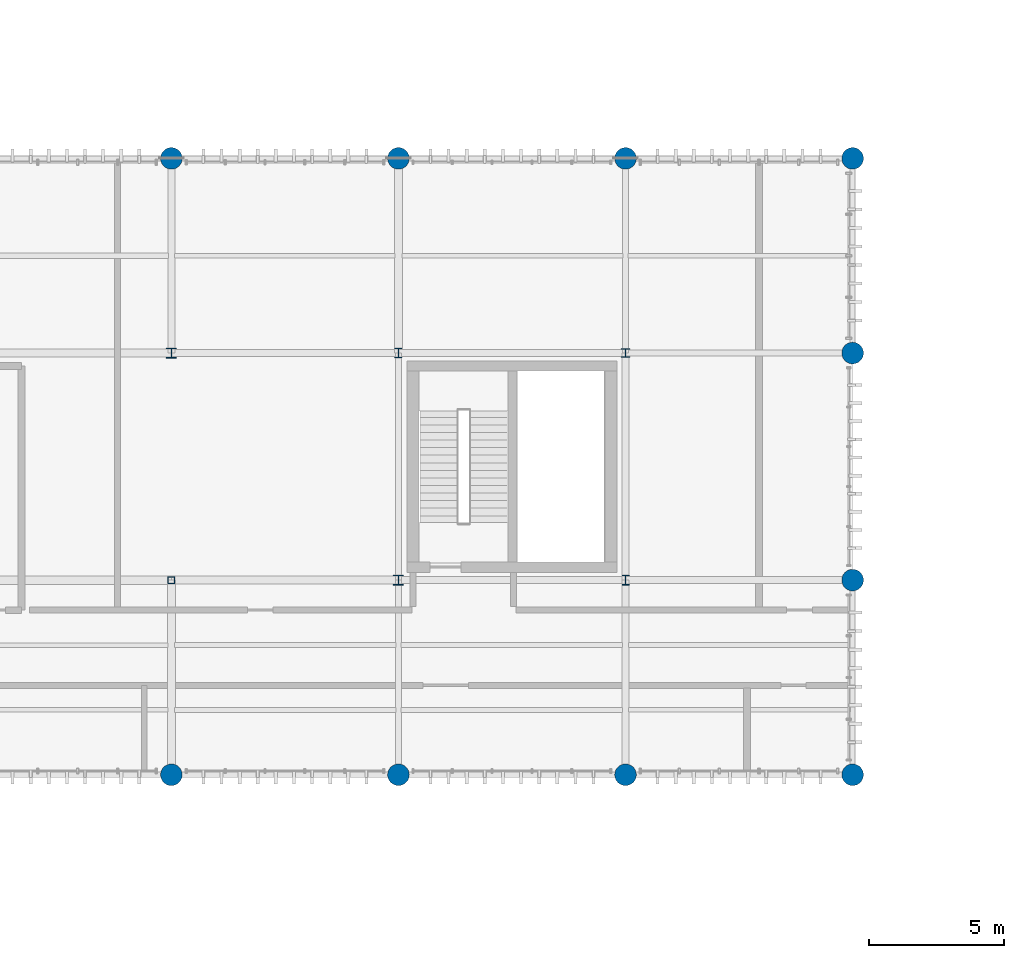
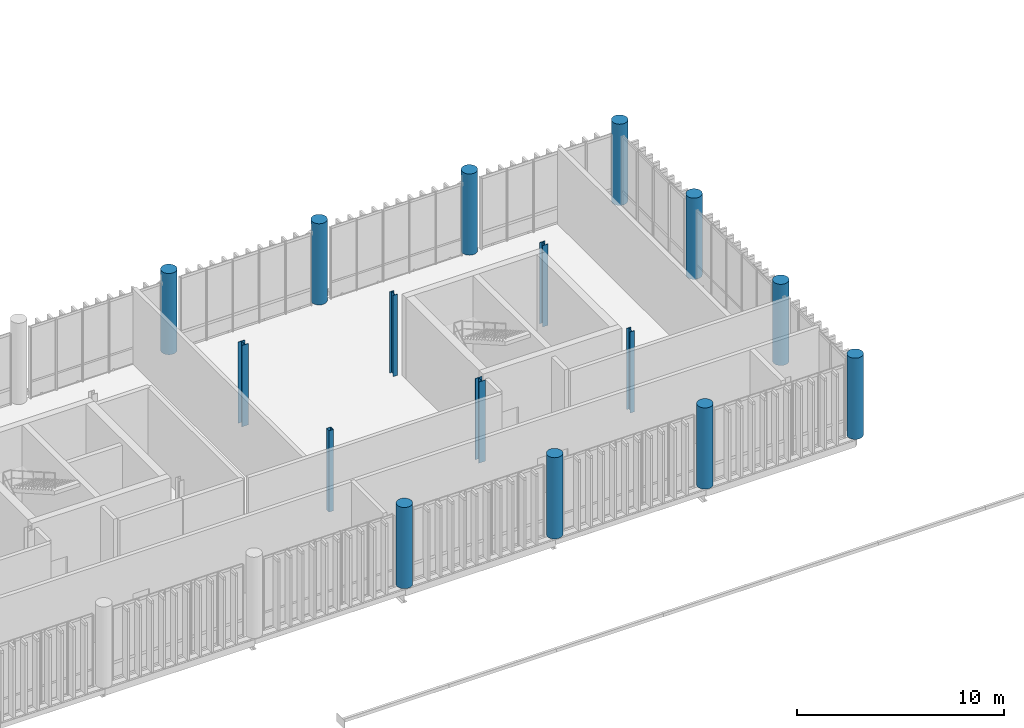
# One storey, part 5 of 94: 16 columns.
"""IFC4 building model written with IfcOpenShell, lengths in metres."""

from ifc_helpers import new_model, si_unit, direction, frame, origin_with_axes, origin_2d_with_axis, place, context, subcontext, project, spatial, hollow_rectangle, circle, i_section, extrude, material, material_profile, profile_set, type_object, element, save


model = new_model("IFC4")

# Units and contexts
model_context = context("Model", 3, precision=1e-05, world=origin_with_axes(), true_north=direction((0.0, 1.0)))
body_context = subcontext(model_context, "Body", "Model", "MODEL_VIEW")
ifc_project = project(units=[si_unit("LENGTHUNIT", "METRE"), si_unit("AREAUNIT", "SQUARE_METRE"), si_unit("VOLUMEUNIT", "CUBIC_METRE"), si_unit("PLANEANGLEUNIT", "RADIAN"), si_unit("MASSUNIT", "GRAM", prefix="KILO"), si_unit("THERMODYNAMICTEMPERATUREUNIT", "KELVIN")], contexts=[model_context])

# Site, building, storey
site_placement = place(None, origin_with_axes())
site = spatial("IfcSite", under=ifc_project, at=site_placement, CompositionType="ELEMENT")
building_placement = place(site_placement, origin_with_axes())
building = spatial("IfcBuilding", under=site, at=building_placement, Name="Montbau Bow Law Courts", CompositionType="ELEMENT")
storey_placement = place(building_placement, frame((0.0, 0.0, 15.6), z_axis=(0.0, 0.0, 1.0), x_axis=(1.0, 0.0, 0.0)))
storey = spatial("IfcBuildingStorey", under=building, at=storey_placement, Name="L03", CompositionType="ELEMENT", Elevation=15.6)

# Columns
ifc_material_1 = material(Name="Steel CSA G40.21 Grade 350W (350 MPa)", Category="steel")
ifc_material_profile_1 = material_profile(ifc_material_1, hollow_rectangle(XDim=0.254, YDim=0.254, WallThickness=0.0127, InnerFilletRadius=0.0254, OuterFilletRadius=0.0127, at=origin_2d_with_axis()), Name="HSS254X254X13", Category="Main", Priority=0)
ifc_profile_set_1 = profile_set([ifc_material_profile_1], Name="Steel CSA G40.21 Grade 350W (350 MPa)")
column_type_1 = type_object("IfcColumnType", Name="C-HSS-01", PredefinedType="COLUMN", material=ifc_profile_set_1)
column_1_placement = place(None, frame((72.0, 46.2, 15.6), z_axis=(0.0, 0.0, 1.0), x_axis=(1.0, 0.0, 0.0)))
element("IfcColumn", 1, at=column_1_placement, inside=storey, type_object=column_type_1, Name="C-L03-S0677:col2_0677", PredefinedType="COLUMN", context=body_context, shape_type="SweptSolid", body=[
    extrude(hollow_rectangle(XDim=0.254, YDim=0.254, WallThickness=0.0127, InnerFilletRadius=0.0254, OuterFilletRadius=0.0127, at=origin_2d_with_axis()), origin_with_axes(), (0.0, 0.0, 1.0), 4.8),
])
ifc_material_2 = material(Name="Concrete CSA A23.1 f'c 40 MPa", Category="concrete")
ifc_material_profile_2 = material_profile(ifc_material_2, circle(Radius=0.4, at=origin_2d_with_axis()), Name="RC800D", Category="Main", Priority=0)
ifc_profile_set_2 = profile_set([ifc_material_profile_2], Name="Concrete CSA A23.1 f'c 40 MPa")
column_type_2 = type_object("IfcColumnType", Name="C-RC-07", PredefinedType="COLUMN", material=ifc_profile_set_2)
for number, where, z_axis, x_axis, name in (
    (2, (72.0, 39.0, 15.6), (0.0, 0.0, 1.0), (1.0, 0.0, 0.0), "C-L03-S0676:col2_0676"),
    (3, (72.0, 61.8, 15.6), (0.0, 0.0, 1.0), (1.0, 0.0, 0.0), "C-L03-S0679:col2_0679"),
    (4, (80.4, 39.0, 15.6), (0.0, 0.0, 1.0), (1.0, 0.0, 0.0), "C-L03-S0680:col2_0680"),
    (5, (80.4, 61.8, 15.6), (0.0, 0.0, 1.0), (1.0, 0.0, 0.0), "C-L03-S0683:col2_0683"),
    (6, (88.8, 39.0, 15.6), (0.0, 0.0, 1.0), (1.0, 0.0, 0.0), "C-L03-S0684:col2_0684"),
    (7, (88.8, 61.8, 15.6), (0.0, 0.0, 1.0), (1.0, 0.0, 0.0), "C-L03-S0687:col2_0687"),
    (8, (97.2, 39.0, 15.6), (0.0, 0.0, 1.0), (1.0, 0.0, 0.0), "C-L03-S0688:col2_0688"),
    (9, (97.2, 46.2, 15.6), (0.0, 0.0, 1.0), (1.0, 0.0, 0.0), "C-L03-S0689:col2_0689"),
    (10, (97.2, 54.6, 15.6), (0.0, 0.0, 1.0), (1.0, 0.0, 0.0), "C-L03-S0690:col2_0690"),
    (11, (97.2, 61.8, 15.6), (0.0, 0.0, 1.0), (1.0, 0.0, 0.0), "C-L03-S0691:col2_0691"),
):
    element("IfcColumn", number, at=place(None, frame(where, z_axis=z_axis, x_axis=x_axis)), inside=storey, type_object=column_type_2, Name=name, PredefinedType="COLUMN", context=body_context, shape_type="SweptSolid", body=[
        extrude(circle(Radius=0.4, at=origin_2d_with_axis()), origin_with_axes(), (0.0, 0.0, 1.0), 4.8),
    ])
ifc_material_profile_3 = material_profile(ifc_material_1, i_section(OverallWidth=0.373, OverallDepth=0.368, WebThickness=0.015, FlangeThickness=0.0239, at=origin_2d_with_axis()), Name="W360X179", Category="Main", Priority=0)
ifc_profile_set_3 = profile_set([ifc_material_profile_3], Name="Steel CSA G40.21 Grade 350W (350 MPa)")
column_type_3 = type_object("IfcColumnType", Name="C-STL-04", PredefinedType="COLUMN", material=ifc_profile_set_3)
for number, where, z_axis, x_axis, name in (
    (12, (72.0, 54.6, 15.6), (0.0, 0.0, 1.0), (1.0, 0.0, 0.0), "C-L03-S0678:col2_0678"),
    (13, (80.4, 46.2, 15.6), (0.0, 0.0, 1.0), (1.0, 0.0, 0.0), "C-L03-S0681:col2_0681"),
):
    element("IfcColumn", number, at=place(None, frame(where, z_axis=z_axis, x_axis=x_axis)), inside=storey, type_object=column_type_3, Name=name, PredefinedType="COLUMN", context=body_context, shape_type="SweptSolid", body=[
        extrude(i_section(OverallWidth=0.373, OverallDepth=0.368, WebThickness=0.015, FlangeThickness=0.0239, at=origin_2d_with_axis()), origin_with_axes(), (0.0, 0.0, 1.0), 4.8),
    ])
ifc_material_profile_4 = material_profile(ifc_material_1, i_section(OverallWidth=0.257, OverallDepth=0.363, WebThickness=0.013, FlangeThickness=0.0217, at=origin_2d_with_axis()), Name="W360X122", Category="Main", Priority=0)
ifc_profile_set_4 = profile_set([ifc_material_profile_4], Name="Steel CSA G40.21 Grade 350W (350 MPa)")
column_type_4 = type_object("IfcColumnType", Name="C-STL-05", PredefinedType="COLUMN", material=ifc_profile_set_4)
for number, where, z_axis, x_axis, name in (
    (14, (80.4, 54.6, 15.6), (0.0, 0.0, 1.0), (1.0, 0.0, 0.0), "C-L03-S0682:col2_0682"),
    (15, (88.8, 46.2, 15.6), (0.0, 0.0, 1.0), (1.0, 0.0, 0.0), "C-L03-S0685:col2_0685"),
):
    element("IfcColumn", number, at=place(None, frame(where, z_axis=z_axis, x_axis=x_axis)), inside=storey, type_object=column_type_4, Name=name, PredefinedType="COLUMN", context=body_context, shape_type="SweptSolid", body=[
        extrude(i_section(OverallWidth=0.257, OverallDepth=0.363, WebThickness=0.013, FlangeThickness=0.0217, at=origin_2d_with_axis()), origin_with_axes(), (0.0, 0.0, 1.0), 4.8),
    ])
ifc_material_profile_5 = material_profile(ifc_material_1, i_section(OverallWidth=0.309, OverallDepth=0.323, WebThickness=0.014, FlangeThickness=0.0229, at=origin_2d_with_axis()), Name="W310X143", Category="Main", Priority=0)
ifc_profile_set_5 = profile_set([ifc_material_profile_5], Name="Steel CSA G40.21 Grade 350W (350 MPa)")
column_type_5 = type_object("IfcColumnType", Name="C-STL-06", PredefinedType="COLUMN", material=ifc_profile_set_5)
column_2_placement = place(None, frame((88.8, 54.6, 15.6), z_axis=(0.0, 0.0, 1.0), x_axis=(1.0, 0.0, 0.0)))
element("IfcColumn", 16, at=column_2_placement, inside=storey, type_object=column_type_5, Name="C-L03-S0686:col2_0686", PredefinedType="COLUMN", context=body_context, shape_type="SweptSolid", body=[
    extrude(i_section(OverallWidth=0.309, OverallDepth=0.323, WebThickness=0.014, FlangeThickness=0.0229, at=origin_2d_with_axis()), origin_with_axes(), (0.0, 0.0, 1.0), 4.8),
])

save(model, "model.ifc")
